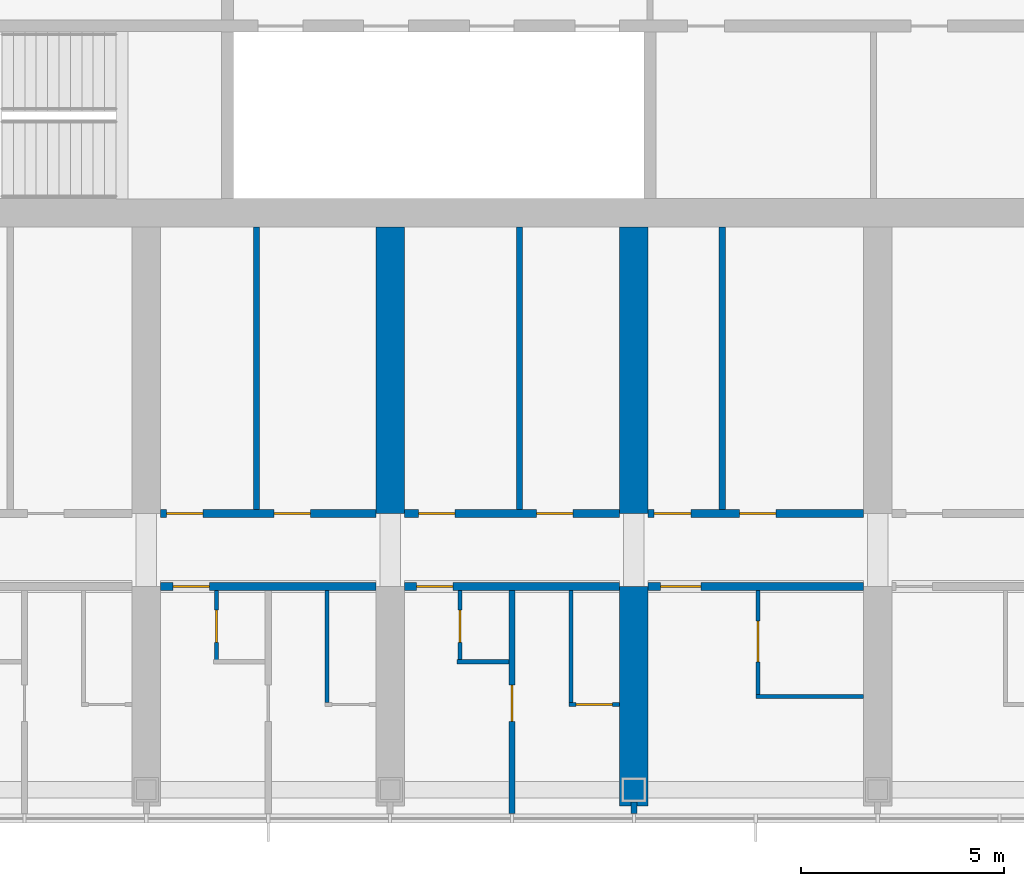
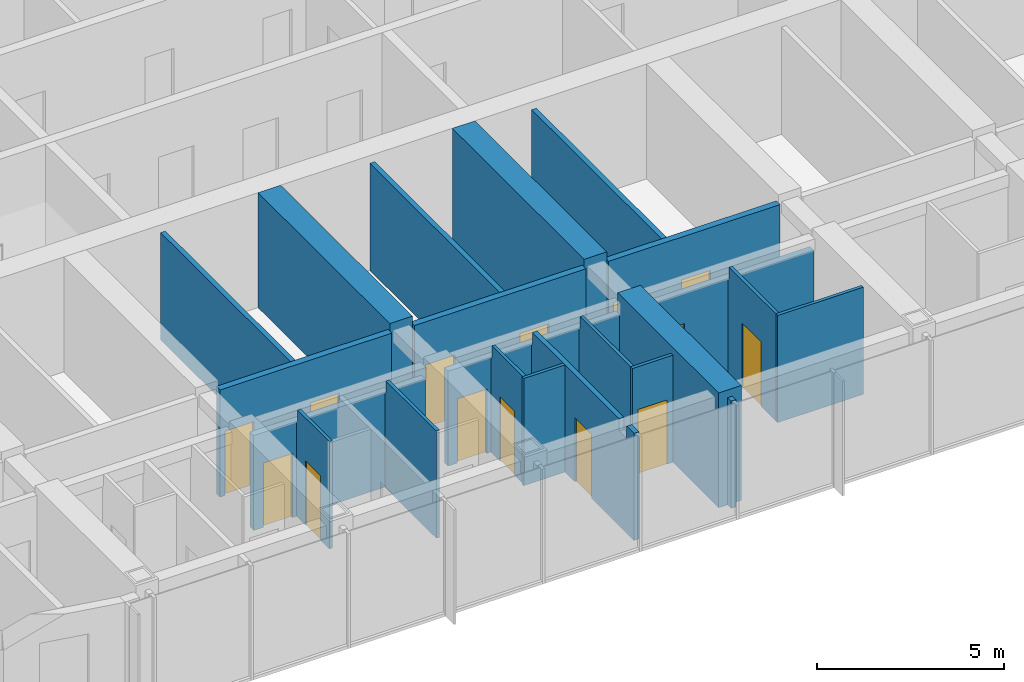
# One storey, part 11 of 24: 22 walls, 14 doors, 14 openings.
"""IFC4 building model written with IfcOpenShell, lengths in metres."""

from ifc_helpers import new_model, si_unit, direction, frame, frame_2d, origin, place, context, subcontext, project, spatial, polyline, rectangle, outline, extrude, material, layer, layer_set, type_object, element, fill, save


model = new_model("IFC4")

# Units and contexts
model_context = context("Model", 3, precision=1e-05, world=origin(), true_north=direction((0.0, 1.0)))
body_context = subcontext(model_context, "Body", "Model", "MODEL_VIEW")
ifc_project = project(units=[si_unit("LENGTHUNIT", "METRE"), si_unit("AREAUNIT", "SQUARE_METRE"), si_unit("VOLUMEUNIT", "CUBIC_METRE"), si_unit("PLANEANGLEUNIT", "RADIAN"), si_unit("MASSUNIT", "GRAM", prefix="KILO")], contexts=[model_context])

# Site, building, storey
site_placement = place(None, origin())
site = spatial("IfcSite", under=ifc_project, at=site_placement, CompositionType="ELEMENT")
building_placement = place(site_placement, origin())
building = spatial("IfcBuilding", under=site, at=building_placement, Name="Orbita Commons", CompositionType="ELEMENT")
storey_placement = place(building_placement, frame((0.0, 0.0, 239.050048828125)))
storey = spatial("IfcBuildingStorey", under=building, at=storey_placement, Name="L59", CompositionType="ELEMENT", Elevation=239.050048828125)

# Wall, opening, door
ifc_material_1 = material(Name="Concrete blockwork", Category="masonry")
ifc_layer_1 = layer(ifc_material_1, 0.199951171875)
ifc_layer_set_1 = layer_set([ifc_layer_1], Name="Concrete blockwork")
wall_type_1 = type_object("IfcWallType", Name="Corridor wall 200 blockwork", PredefinedType="SOLIDWALL", material=ifc_layer_set_1)
wall_1_placement = place(storey_placement, frame((24.35009765625, 16.60009765625, 0.0), z_axis=(0.0, 0.0, 1.0), x_axis=(1.0, 0.0, 0.0)))
wall_1 = element("IfcWall", 1, at=wall_1_placement, inside=storey, type_object=wall_type_1, Name="Corridor wall 200 blockwork L59", PredefinedType="SOLIDWALL", context=body_context, shape_type="SweptSolid", body=[
    extrude(outline(polyline([(0.0, 0.0), (5.2998046875, 0.0), (5.300048828125, 3.099853515625), (0.0, 3.099853515625), (0.0, 0.0)])), frame((0.0, 0.10009765625, 0.0), z_axis=(0.0, -1.0, 0.0), x_axis=(1.0, 0.0, 0.0)), (0.0, 0.0, 1.0), 0.199951171875),
])
opening_1_placement = place(wall_1_placement, frame((0.300048828125, 0.0, 0.0)))
opening_1 = element("IfcOpeningElement", 2, at=opening_1_placement, cuts=wall_1, Name="Opening D11", PredefinedType="OPENING", context=body_context, shape_type="SweptSolid", body=[
    extrude(rectangle(XDim=0.89990234375, YDim=2.10009765625, at=frame_2d((0.449951171875, 1.050048828125))), frame((0.0, 0.10986328125, 0.0), z_axis=(0.0, -1.0, 0.0), x_axis=(1.0, 0.0, 0.0)), (0.0, 0.0, 1.0), 0.219970703125),
])
ifc_material_2 = material(Name="Steel-faced fire door leaf", Category="steel")
door_type_1 = type_object("IfcDoorType", Name="Corridor door 20 min 900x2100", OperationType="SINGLE_SWING_LEFT", PredefinedType="DOOR", material=ifc_material_2)
door_1_placement = place(opening_1_placement, origin())
door_1 = element("IfcDoor", 3, at=door_1_placement, inside=storey, type_object=door_type_1, Name="Guest suite sitting room and kitchenette L59-S02 entrance door", OperationType="SINGLE_SWING_LEFT", OverallHeight=2.10009765625, OverallWidth=0.89990234375, PredefinedType="DOOR", context=body_context, shape_type="SweptSolid", body=[
    extrude(rectangle(XDim=0.89990234375, YDim=2.10009765625, at=frame_2d((0.449951171875, 1.050048828125))), frame((0.0, 0.02490234375, 0.0), z_axis=(0.0, -1.0, 0.0), x_axis=(1.0, 0.0, 0.0)), (0.0, 0.0, 1.0), 0.050048828125),
])
fill(opening_1, door_1)

wall_2_placement = place(storey_placement, frame((30.35009765625, 16.60009765625, 0.0), z_axis=(0.0, 0.0, 1.0), x_axis=(1.0, 0.0, 0.0)))
wall_2 = element("IfcWall", 4, at=wall_2_placement, inside=storey, type_object=wall_type_1, Name="Corridor wall 200 blockwork L59", PredefinedType="SOLIDWALL", context=body_context, shape_type="SweptSolid", body=[
    extrude(outline(polyline([(0.0, 0.0), (5.2998046875, 0.0), (5.300048828125, 3.099853515625), (0.0, 3.099853515625), (0.0, 0.0)])), frame((0.0, 0.10009765625, 0.0), z_axis=(0.0, -1.0, 0.0), x_axis=(1.0, 0.0, 0.0)), (0.0, 0.0, 1.0), 0.199951171875),
])
opening_2_placement = place(wall_2_placement, frame((0.300048828125, 0.0, 0.0)))
opening_2 = element("IfcOpeningElement", 5, at=opening_2_placement, cuts=wall_2, Name="Opening D11", PredefinedType="OPENING", context=body_context, shape_type="SweptSolid", body=[
    extrude(rectangle(XDim=0.89990234375, YDim=2.10009765625, at=frame_2d((0.449951171875, 1.050048828125))), frame((0.0, 0.10986328125, 0.0), z_axis=(0.0, -1.0, 0.0), x_axis=(1.0, 0.0, 0.0)), (0.0, 0.0, 1.0), 0.219970703125),
])
door_2_placement = place(opening_2_placement, origin())
door_2 = element("IfcDoor", 6, at=door_2_placement, inside=storey, type_object=door_type_1, Name="Guest suite sitting room and kitchenette L59-S04 entrance door", OperationType="SINGLE_SWING_LEFT", OverallHeight=2.10009765625, OverallWidth=0.89990234375, PredefinedType="DOOR", context=body_context, shape_type="SweptSolid", body=[
    extrude(rectangle(XDim=0.89990234375, YDim=2.10009765625, at=frame_2d((0.449951171875, 1.050048828125))), frame((0.0, 0.02490234375, 0.0), z_axis=(0.0, -1.0, 0.0), x_axis=(1.0, 0.0, 0.0)), (0.0, 0.0, 1.0), 0.050048828125),
])
fill(opening_2, door_2)

wall_3_placement = place(storey_placement, frame((36.35009765625, 16.60009765625, 0.0), z_axis=(0.0, 0.0, 1.0), x_axis=(1.0, 0.0, 0.0)))
wall_3 = element("IfcWall", 7, at=wall_3_placement, inside=storey, type_object=wall_type_1, Name="Corridor wall 200 blockwork L59", PredefinedType="SOLIDWALL", context=body_context, shape_type="SweptSolid", body=[
    extrude(outline(polyline([(0.0, 0.0), (5.2998046875, 0.0), (5.300048828125, 3.099853515625), (0.0, 3.099853515625), (0.0, 0.0)])), frame((0.0, 0.10009765625, 0.0), z_axis=(0.0, -1.0, 0.0), x_axis=(1.0, 0.0, 0.0)), (0.0, 0.0, 1.0), 0.199951171875),
])
opening_3_placement = place(wall_3_placement, frame((0.300048828125, 0.0, 0.0)))
opening_3 = element("IfcOpeningElement", 8, at=opening_3_placement, cuts=wall_3, Name="Opening D06", PredefinedType="OPENING", context=body_context, shape_type="SweptSolid", body=[
    extrude(rectangle(XDim=1.0, YDim=2.10009765625, at=frame_2d((0.5, 1.050048828125))), frame((0.0, 0.10986328125, 0.0), z_axis=(0.0, -1.0, 0.0), x_axis=(1.0, 0.0, 0.0)), (0.0, 0.0, 1.0), 0.219970703125),
])
ifc_material_3 = material(Name="Steel-faced fire door leaf", Category="steel")
door_type_2 = type_object("IfcDoorType", Name="Corridor door 20 min 1000x2100", OperationType="SINGLE_SWING_LEFT", PredefinedType="DOOR", material=ifc_material_3)
door_3_placement = place(opening_3_placement, origin())
door_3 = element("IfcDoor", 9, at=door_3_placement, inside=storey, type_object=door_type_2, Name="Accessible bedroom L59-S06 door", OperationType="SINGLE_SWING_LEFT", OverallHeight=2.10009765625, OverallWidth=1.0, PredefinedType="DOOR", context=body_context, shape_type="SweptSolid", body=[
    extrude(rectangle(XDim=1.0, YDim=2.10009765625, at=frame_2d((0.5, 1.050048828125))), frame((0.0, 0.02490234375, 0.0), z_axis=(0.0, -1.0, 0.0), x_axis=(1.0, 0.0, 0.0)), (0.0, 0.0, 1.0), 0.050048828125),
])
fill(opening_3, door_3)

# Wall, openings, doors
ifc_material_4 = material(Name="Hollow concrete block 200", Category="concrete")
ifc_layer_2 = layer(ifc_material_4, 0.199951171875)
ifc_layer_set_2 = layer_set([ifc_layer_2], Name="Hollow concrete block 200")
wall_type_2 = type_object("IfcWallType", Name="Corridor wall 200 hollow concrete block", PredefinedType="SOLIDWALL", material=ifc_layer_set_2)
wall_4_placement = place(storey_placement, frame((24.35009765625, 18.39990234375, 0.0), z_axis=(0.0, 0.0, 1.0), x_axis=(1.0, 0.0, 0.0)))
wall_4 = element("IfcWall", 10, at=wall_4_placement, inside=storey, type_object=wall_type_2, Name="Corridor wall 200 hollow concrete block L59", PredefinedType="SOLIDWALL", context=body_context, shape_type="SweptSolid", body=[
    extrude(rectangle(XDim=5.2998046875, YDim=0.199951171875, at=frame_2d((2.64990234375, 0.0))), origin(), (0.0, 0.0, 1.0), 3.5),
])
opening_4_placement = place(wall_4_placement, frame((0.14990234375, 0.0, 0.0)))
opening_4 = element("IfcOpeningElement", 11, at=opening_4_placement, cuts=wall_4, Name="Opening D11", PredefinedType="OPENING", context=body_context, shape_type="SweptSolid", body=[
    extrude(rectangle(XDim=0.89990234375, YDim=2.10009765625, at=frame_2d((0.449951171875, 1.050048828125))), frame((0.0, 0.10986328125, 0.0), z_axis=(0.0, -1.0, 0.0), x_axis=(1.0, 0.0, 0.0)), (0.0, 0.0, 1.0), 0.219970703125),
])
opening_5_placement = place(wall_4_placement, frame((2.7900390625, 0.0, 0.0)))
opening_5 = element("IfcOpeningElement", 12, at=opening_5_placement, cuts=wall_4, Name="Opening D11", PredefinedType="OPENING", context=body_context, shape_type="SweptSolid", body=[
    extrude(rectangle(XDim=0.89990234375, YDim=2.10009765625, at=frame_2d((0.449951171875, 1.050048828125))), frame((0.0, 0.10986328125, 0.0), z_axis=(0.0, -1.0, 0.0), x_axis=(1.0, 0.0, 0.0)), (0.0, 0.0, 1.0), 0.219970703125),
])
door_4_placement = place(opening_4_placement, origin())
door_4 = element("IfcDoor", 13, at=door_4_placement, inside=storey, type_object=door_type_1, Name="Water heater cupboard L59-BDS24n door", OperationType="SINGLE_SWING_LEFT", OverallHeight=2.10009765625, OverallWidth=0.89990234375, PredefinedType="DOOR", context=body_context, shape_type="SweptSolid", body=[
    extrude(rectangle(XDim=0.89990234375, YDim=2.10009765625, at=frame_2d((0.449951171875, 1.050048828125))), frame((0.0, 0.02490234375, 0.0), z_axis=(0.0, -1.0, 0.0), x_axis=(1.0, 0.0, 0.0)), (0.0, 0.0, 1.0), 0.050048828125),
])
fill(opening_4, door_4)
door_5_placement = place(opening_5_placement, origin())
door_5 = element("IfcDoor", 14, at=door_5_placement, inside=storey, type_object=door_type_1, Name="Meeting room L59-BDS24 door", OperationType="SINGLE_SWING_LEFT", OverallHeight=2.10009765625, OverallWidth=0.89990234375, PredefinedType="DOOR", context=body_context, shape_type="SweptSolid", body=[
    extrude(rectangle(XDim=0.89990234375, YDim=2.10009765625, at=frame_2d((0.449951171875, 1.050048828125))), frame((0.0, 0.02490234375, 0.0), z_axis=(0.0, -1.0, 0.0), x_axis=(1.0, 0.0, 0.0)), (0.0, 0.0, 1.0), 0.050048828125),
])
fill(opening_5, door_5)

wall_5_placement = place(storey_placement, frame((30.35009765625, 18.39990234375, 0.0), z_axis=(0.0, 0.0, 1.0), x_axis=(1.0, 0.0, 0.0)))
wall_5 = element("IfcWall", 15, at=wall_5_placement, inside=storey, type_object=wall_type_2, Name="Corridor wall 200 hollow concrete block L59", PredefinedType="SOLIDWALL", context=body_context, shape_type="SweptSolid", body=[
    extrude(rectangle(XDim=5.2998046875, YDim=0.199951171875, at=frame_2d((2.64990234375, 0.0))), origin(), (0.0, 0.0, 1.0), 3.5),
])
opening_6_placement = place(wall_5_placement, frame((0.35009765625, 0.0, 0.0)))
opening_6 = element("IfcOpeningElement", 16, at=opening_6_placement, cuts=wall_5, Name="Opening D11", PredefinedType="OPENING", context=body_context, shape_type="SweptSolid", body=[
    extrude(rectangle(XDim=0.89990234375, YDim=2.10009765625, at=frame_2d((0.449951171875, 1.050048828125))), frame((0.0, 0.10986328125, 0.0), z_axis=(0.0, -1.0, 0.0), x_axis=(1.0, 0.0, 0.0)), (0.0, 0.0, 1.0), 0.219970703125),
])
opening_7_placement = place(wall_5_placement, frame((3.2548828125, 0.0, 0.0)))
opening_7 = element("IfcOpeningElement", 17, at=opening_7_placement, cuts=wall_5, Name="Opening D11", PredefinedType="OPENING", context=body_context, shape_type="SweptSolid", body=[
    extrude(rectangle(XDim=0.89990234375, YDim=2.10009765625, at=frame_2d((0.449951171875, 1.050048828125))), frame((0.0, 0.10986328125, 0.0), z_axis=(0.0, -1.0, 0.0), x_axis=(1.0, 0.0, 0.0)), (0.0, 0.0, 1.0), 0.219970703125),
])
door_6_placement = place(opening_6_placement, origin())
door_6 = element("IfcDoor", 18, at=door_6_placement, inside=storey, type_object=door_type_1, Name="Equipment store L59-BDS30n door", OperationType="SINGLE_SWING_LEFT", OverallHeight=2.10009765625, OverallWidth=0.89990234375, PredefinedType="DOOR", context=body_context, shape_type="SweptSolid", body=[
    extrude(rectangle(XDim=0.89990234375, YDim=2.10009765625, at=frame_2d((0.449951171875, 1.050048828125))), frame((0.0, 0.02490234375, 0.0), z_axis=(0.0, -1.0, 0.0), x_axis=(1.0, 0.0, 0.0)), (0.0, 0.0, 1.0), 0.050048828125),
])
fill(opening_6, door_6)
door_7_placement = place(opening_7_placement, origin())
door_7 = element("IfcDoor", 19, at=door_7_placement, inside=storey, type_object=door_type_1, Name="Board room L59-BDS30 door", OperationType="SINGLE_SWING_LEFT", OverallHeight=2.10009765625, OverallWidth=0.89990234375, PredefinedType="DOOR", context=body_context, shape_type="SweptSolid", body=[
    extrude(rectangle(XDim=0.89990234375, YDim=2.10009765625, at=frame_2d((0.449951171875, 1.050048828125))), frame((0.0, 0.02490234375, 0.0), z_axis=(0.0, -1.0, 0.0), x_axis=(1.0, 0.0, 0.0)), (0.0, 0.0, 1.0), 0.050048828125),
])
fill(opening_7, door_7)

wall_6_placement = place(storey_placement, frame((36.35009765625, 18.39990234375, 0.0), z_axis=(0.0, 0.0, 1.0), x_axis=(1.0, 0.0, 0.0)))
wall_6 = element("IfcWall", 20, at=wall_6_placement, inside=storey, type_object=wall_type_2, Name="Corridor wall 200 hollow concrete block L59", PredefinedType="SOLIDWALL", context=body_context, shape_type="SweptSolid", body=[
    extrude(rectangle(XDim=5.2998046875, YDim=0.199951171875, at=frame_2d((2.64990234375, 0.0))), origin(), (0.0, 0.0, 1.0), 3.5),
])
opening_8_placement = place(wall_6_placement, frame((0.14990234375, 0.0, 0.0)))
opening_8 = element("IfcOpeningElement", 21, at=opening_8_placement, cuts=wall_6, Name="Opening D11", PredefinedType="OPENING", context=body_context, shape_type="SweptSolid", body=[
    extrude(rectangle(XDim=0.89990234375, YDim=2.10009765625, at=frame_2d((0.449951171875, 1.050048828125))), frame((0.0, 0.10986328125, 0.0), z_axis=(0.0, -1.0, 0.0), x_axis=(1.0, 0.0, 0.0)), (0.0, 0.0, 1.0), 0.219970703125),
])
opening_9_placement = place(wall_6_placement, frame((2.25, 0.0, 0.0)))
opening_9 = element("IfcOpeningElement", 22, at=opening_9_placement, cuts=wall_6, Name="Opening D11", PredefinedType="OPENING", context=body_context, shape_type="SweptSolid", body=[
    extrude(rectangle(XDim=0.89990234375, YDim=2.10009765625, at=frame_2d((0.449951171875, 1.050048828125))), frame((0.0, 0.10986328125, 0.0), z_axis=(0.0, -1.0, 0.0), x_axis=(1.0, 0.0, 0.0)), (0.0, 0.0, 1.0), 0.219970703125),
])
door_8_placement = place(opening_8_placement, origin())
door_8 = element("IfcDoor", 23, at=door_8_placement, inside=storey, type_object=door_type_1, Name="Luggage store L59-BDS36n door", OperationType="SINGLE_SWING_LEFT", OverallHeight=2.10009765625, OverallWidth=0.89990234375, PredefinedType="DOOR", context=body_context, shape_type="SweptSolid", body=[
    extrude(rectangle(XDim=0.89990234375, YDim=2.10009765625, at=frame_2d((0.449951171875, 1.050048828125))), frame((0.0, 0.02490234375, 0.0), z_axis=(0.0, -1.0, 0.0), x_axis=(1.0, 0.0, 0.0)), (0.0, 0.0, 1.0), 0.050048828125),
])
fill(opening_8, door_8)
door_9_placement = place(opening_9_placement, origin())
door_9 = element("IfcDoor", 24, at=door_9_placement, inside=storey, type_object=door_type_1, Name="Parcel and post room L59-BDS36 door", OperationType="SINGLE_SWING_LEFT", OverallHeight=2.10009765625, OverallWidth=0.89990234375, PredefinedType="DOOR", context=body_context, shape_type="SweptSolid", body=[
    extrude(rectangle(XDim=0.89990234375, YDim=2.10009765625, at=frame_2d((0.449951171875, 1.050048828125))), frame((0.0, 0.02490234375, 0.0), z_axis=(0.0, -1.0, 0.0), x_axis=(1.0, 0.0, 0.0)), (0.0, 0.0, 1.0), 0.050048828125),
])
fill(opening_9, door_9)

# Walls
ifc_material_5 = material(Name="Concrete C50/60", Category="concrete")
ifc_layer_3 = layer(ifc_material_5, 0.699951171875)
ifc_layer_set_3 = layer_set([ifc_layer_3], Name="Concrete C50/60")
wall_type_3 = type_object("IfcWallType", Name="Cross wall 700 C50/60", PredefinedType="SHEAR", material=ifc_layer_set_3)
wall_7_placement = place(storey_placement, frame((30.0, 18.39990234375, 0.0), z_axis=(0.0, 0.0, 1.0), x_axis=(0.0, 1.0, 0.0)))
element("IfcWall", 25, at=wall_7_placement, inside=storey, type_object=wall_type_3, Name="Cross wall 6 south inner L59", PredefinedType="SHEAR", context=body_context, shape_type="SweptSolid", body=[
    extrude(rectangle(XDim=7.050048828125, YDim=0.699951171875, at=frame_2d((3.52490234375, 0.0))), origin(), (0.0, 0.0, 1.0), 3.75),
])
wall_8_placement = place(storey_placement, frame((36.0, 11.199951171875, 0.0), z_axis=(0.0, 0.0, 1.0), x_axis=(0.0, 1.0, 0.0)))
element("IfcWall", 26, at=wall_8_placement, inside=storey, type_object=wall_type_3, Name="Cross wall 7 south outer L59", PredefinedType="SHEAR", context=body_context, shape_type="SweptSolid", body=[
    extrude(rectangle(XDim=5.400146484375, YDim=0.699951171875, at=frame_2d((2.7001953125, 0.0))), origin(), (0.0, 0.0, 1.0), 3.75),
])
wall_9_placement = place(storey_placement, frame((36.0, 18.39990234375, 0.0), z_axis=(0.0, 0.0, 1.0), x_axis=(0.0, 1.0, 0.0)))
element("IfcWall", 27, at=wall_9_placement, inside=storey, type_object=wall_type_3, Name="Cross wall 7 south inner L59", PredefinedType="SHEAR", context=body_context, shape_type="SweptSolid", body=[
    extrude(rectangle(XDim=7.050048828125, YDim=0.699951171875, at=frame_2d((3.52490234375, 0.0))), origin(), (0.0, 0.0, 1.0), 3.75),
])
ifc_material_6 = material(Name="Moisture-resistant plasterboard on steel studs", Category="steel")
ifc_layer_4 = layer(ifc_material_6, 0.10009765625)
ifc_layer_set_4 = layer_set([ifc_layer_4], Name="Moisture-resistant plasterboard on steel studs")
wall_type_4 = type_object("IfcWallType", Name="En-suite partition 100", PredefinedType="PARTITIONING", material=ifc_layer_set_4)
wall_10_placement = place(storey_placement, frame((28.449951171875, 13.75, 0.0), z_axis=(0.0, 0.0, 1.0), x_axis=(0.0, 1.0, 0.0)))
element("IfcWall", 28, at=wall_10_placement, inside=storey, type_object=wall_type_4, Name="En-suite partition 100 L59", PredefinedType="PARTITIONING", context=body_context, shape_type="SweptSolid", body=[
    extrude(outline(polyline([(0.0, 0.0), (2.75, 0.0), (2.75, 3.099853515625), (2.701904296875, 3.099853515625), (2.699951171875, 3.5), (0.0, 3.5), (0.0, 0.0)])), frame((0.0, 0.050048828125, 0.0), z_axis=(0.0, -1.0, 0.0), x_axis=(1.0, 0.0, 0.0)), (0.0, 0.0, 1.0), 0.10009765625),
])

# Wall, opening, door
wall_11_placement = place(storey_placement, frame((25.72509765625, 14.75, 0.0), z_axis=(0.0, 0.0, 1.0), x_axis=(0.0, 1.0, 0.0)))
wall_11 = element("IfcWall", 29, at=wall_11_placement, inside=storey, type_object=wall_type_4, Name="En-suite partition 100 L59", PredefinedType="PARTITIONING", context=body_context, shape_type="SweptSolid", body=[
    extrude(outline(polyline([(0.0, 0.0), (1.75, 0.0), (1.75, 3.099853515625), (1.701904296875, 3.099853515625), (1.699951171875, 3.5), (0.0, 3.5), (0.0, 0.0)])), frame((0.0, 0.050048828125, 0.0), z_axis=(0.0, -1.0, 0.0), x_axis=(1.0, 0.0, 0.0)), (0.0, 0.0, 1.0), 0.10009765625),
])
opening_10_placement = place(wall_11_placement, frame((0.47509765625, 0.0, 0.0)))
opening_10 = element("IfcOpeningElement", 30, at=opening_10_placement, cuts=wall_11, Name="Opening D16", PredefinedType="OPENING", context=body_context, shape_type="SweptSolid", body=[
    extrude(rectangle(XDim=0.800048828125, YDim=2.10009765625, at=frame_2d((0.39990234375, 1.050048828125))), frame((0.0, 0.06005859375, 0.0), z_axis=(0.0, -1.0, 0.0), x_axis=(1.0, 0.0, 0.0)), (0.0, 0.0, 1.0), 0.1201171875),
])
ifc_material_7 = material(Name="Laminated timber door leaf", Category="wood")
door_type_3 = type_object("IfcDoorType", Name="En-suite door 800x2100", OperationType="SINGLE_SWING_RIGHT", PredefinedType="DOOR", material=ifc_material_7)
door_10_placement = place(opening_10_placement, origin())
door_10 = element("IfcDoor", 31, at=door_10_placement, inside=storey, type_object=door_type_3, Name="Guest suite WC L59-S02 door", OperationType="SINGLE_SWING_RIGHT", OverallHeight=2.10009765625, OverallWidth=0.800048828125, PredefinedType="DOOR", context=body_context, shape_type="SweptSolid", body=[
    extrude(rectangle(XDim=0.800048828125, YDim=2.10009765625, at=frame_2d((0.39990234375, 1.050048828125))), frame((0.0, 0.02490234375, 0.0), z_axis=(0.0, -1.0, 0.0), x_axis=(1.0, 0.0, 0.0)), (0.0, 0.0, 1.0), 0.050048828125),
])
fill(opening_10, door_10)

wall_12_placement = place(storey_placement, frame((35.64990234375, 13.699951171875, 0.0), z_axis=(0.0, 0.0, 1.0), x_axis=(-1.0, 0.0, 0.0)))
wall_12 = element("IfcWall", 32, at=wall_12_placement, inside=storey, type_object=wall_type_4, Name="En-suite partition 100 L59", PredefinedType="PARTITIONING", context=body_context, shape_type="SweptSolid", body=[
    extrude(rectangle(XDim=1.25, YDim=0.10009765625, at=frame_2d((0.625, 0.0))), origin(), (0.0, 0.0, 1.0), 3.5),
])
opening_11_placement = place(wall_12_placement, frame((0.175048828125, 0.0, 0.0)))
opening_11 = element("IfcOpeningElement", 33, at=opening_11_placement, cuts=wall_12, Name="Opening D09", PredefinedType="OPENING", context=body_context, shape_type="SweptSolid", body=[
    extrude(rectangle(XDim=0.89990234375, YDim=2.10009765625, at=frame_2d((0.449951171875, 1.050048828125))), frame((0.0, 0.06005859375, 0.0), z_axis=(0.0, -1.0, 0.0), x_axis=(1.0, 0.0, 0.0)), (0.0, 0.0, 1.0), 0.1201171875),
])
ifc_material_8 = material(Name="Laminated timber door leaf", Category="wood")
door_type_4 = type_object("IfcDoorType", Name="En-suite door 900x2100", OperationType="SINGLE_SWING_RIGHT", PredefinedType="DOOR", material=ifc_material_8)
door_11_placement = place(opening_11_placement, origin())
door_11 = element("IfcDoor", 34, at=door_11_placement, inside=storey, type_object=door_type_4, Name="En-suite L59-S05 door", OperationType="SINGLE_SWING_RIGHT", OverallHeight=2.10009765625, OverallWidth=0.89990234375, PredefinedType="DOOR", context=body_context, shape_type="SweptSolid", body=[
    extrude(rectangle(XDim=0.89990234375, YDim=2.10009765625, at=frame_2d((0.449951171875, 1.050048828125))), frame((0.0, 0.02490234375, 0.0), z_axis=(0.0, -1.0, 0.0), x_axis=(1.0, 0.0, 0.0)), (0.0, 0.0, 1.0), 0.050048828125),
])
fill(opening_11, door_11)

# Walls
wall_13_placement = place(storey_placement, frame((34.449951171875, 13.75, 0.0), z_axis=(0.0, 0.0, 1.0), x_axis=(0.0, 1.0, 0.0)))
element("IfcWall", 35, at=wall_13_placement, inside=storey, type_object=wall_type_4, Name="En-suite partition 100 L59", PredefinedType="PARTITIONING", context=body_context, shape_type="SweptSolid", body=[
    extrude(outline(polyline([(0.0, 0.0), (2.75, 0.0), (2.75, 3.099853515625), (2.701904296875, 3.099853515625), (2.699951171875, 3.5), (0.0, 3.5), (0.0, 0.0)])), frame((0.0, 0.050048828125, 0.0), z_axis=(0.0, -1.0, 0.0), x_axis=(1.0, 0.0, 0.0)), (0.0, 0.0, 1.0), 0.10009765625),
])
wall_14_placement = place(storey_placement, frame((31.64990234375, 14.75, 0.0), z_axis=(0.0, 0.0, 1.0), x_axis=(1.0, 0.0, 0.0)))
element("IfcWall", 36, at=wall_14_placement, inside=storey, type_object=wall_type_4, Name="En-suite partition 100 L59", PredefinedType="PARTITIONING", context=body_context, shape_type="SweptSolid", body=[
    extrude(rectangle(XDim=1.275146484375, YDim=0.10009765625, at=frame_2d((0.6376953125, 0.0))), origin(), (0.0, 0.0, 1.0), 3.5),
])

# Wall, opening, door
wall_15_placement = place(storey_placement, frame((31.72509765625, 14.75, 0.0), z_axis=(0.0, 0.0, 1.0), x_axis=(0.0, 1.0, 0.0)))
wall_15 = element("IfcWall", 37, at=wall_15_placement, inside=storey, type_object=wall_type_4, Name="En-suite partition 100 L59", PredefinedType="PARTITIONING", context=body_context, shape_type="SweptSolid", body=[
    extrude(outline(polyline([(0.0, 0.0), (1.75, 0.0), (1.75, 3.099853515625), (1.701904296875, 3.099853515625), (1.699951171875, 3.5), (0.0, 3.5), (0.0, 0.0)])), frame((0.0, 0.050048828125, 0.0), z_axis=(0.0, -1.0, 0.0), x_axis=(1.0, 0.0, 0.0)), (0.0, 0.0, 1.0), 0.10009765625),
])
opening_12_placement = place(wall_15_placement, frame((0.47509765625, 0.0, 0.0)))
opening_12 = element("IfcOpeningElement", 38, at=opening_12_placement, cuts=wall_15, Name="Opening D16", PredefinedType="OPENING", context=body_context, shape_type="SweptSolid", body=[
    extrude(rectangle(XDim=0.800048828125, YDim=2.10009765625, at=frame_2d((0.39990234375, 1.050048828125))), frame((0.0, 0.06005859375, 0.0), z_axis=(0.0, -1.0, 0.0), x_axis=(1.0, 0.0, 0.0)), (0.0, 0.0, 1.0), 0.1201171875),
])
door_12_placement = place(opening_12_placement, origin())
door_12 = element("IfcDoor", 39, at=door_12_placement, inside=storey, type_object=door_type_3, Name="Guest suite WC L59-S04 door", OperationType="SINGLE_SWING_RIGHT", OverallHeight=2.10009765625, OverallWidth=0.800048828125, PredefinedType="DOOR", context=body_context, shape_type="SweptSolid", body=[
    extrude(rectangle(XDim=0.800048828125, YDim=2.10009765625, at=frame_2d((0.39990234375, 1.050048828125))), frame((0.0, 0.02490234375, 0.0), z_axis=(0.0, -1.0, 0.0), x_axis=(1.0, 0.0, 0.0)), (0.0, 0.0, 1.0), 0.050048828125),
])
fill(opening_12, door_12)

# Wall
wall_16_placement = place(storey_placement, frame((39.0, 13.89990234375, 0.0), z_axis=(0.0, 0.0, 1.0), x_axis=(1.0, 0.0, 0.0)))
element("IfcWall", 40, at=wall_16_placement, inside=storey, type_object=wall_type_4, Name="En-suite partition 100 L59", PredefinedType="PARTITIONING", context=body_context, shape_type="SweptSolid", body=[
    extrude(rectangle(XDim=2.64990234375, YDim=0.10009765625, at=frame_2d((1.324951171875, 0.0))), origin(), (0.0, 0.0, 1.0), 3.5),
])

# Wall, opening, door
wall_17_placement = place(storey_placement, frame((39.050048828125, 13.949951171875, 0.0), z_axis=(0.0, 0.0, 1.0), x_axis=(0.0, 1.0, 0.0)))
wall_17 = element("IfcWall", 41, at=wall_17_placement, inside=storey, type_object=wall_type_4, Name="En-suite partition 100 L59", PredefinedType="PARTITIONING", context=body_context, shape_type="SweptSolid", body=[
    extrude(outline(polyline([(0.0, 0.0), (2.550048828125, 0.0), (2.550048828125, 3.099853515625), (2.501953125, 3.099853515625), (2.5, 3.5), (0.0, 3.5), (0.0, 0.0)])), frame((0.0, 0.050048828125, 0.0), z_axis=(0.0, -1.0, 0.0), x_axis=(1.0, 0.0, 0.0)), (0.0, 0.0, 1.0), 0.10009765625),
])
opening_13_placement = place(wall_17_placement, frame((0.800048828125, 0.0, 0.0)))
opening_13 = element("IfcOpeningElement", 42, at=opening_13_placement, cuts=wall_17, Name="Opening D13", PredefinedType="OPENING", context=body_context, shape_type="SweptSolid", body=[
    extrude(rectangle(XDim=1.0, YDim=2.10009765625, at=frame_2d((0.5, 1.050048828125))), frame((0.0, 0.06005859375, 0.0), z_axis=(0.0, -1.0, 0.0), x_axis=(1.0, 0.0, 0.0)), (0.0, 0.0, 1.0), 0.1201171875),
])
ifc_material_9 = material(Name="Laminated timber door leaf", Category="wood")
door_type_5 = type_object("IfcDoorType", Name="En-suite door 1000x2100", OperationType="SINGLE_SWING_RIGHT", PredefinedType="DOOR", material=ifc_material_9)
door_13_placement = place(opening_13_placement, origin())
door_13 = element("IfcDoor", 43, at=door_13_placement, inside=storey, type_object=door_type_5, Name="Accessible shower room L59-S06 door", OperationType="SINGLE_SWING_RIGHT", OverallHeight=2.10009765625, OverallWidth=1.0, PredefinedType="DOOR", context=body_context, shape_type="SweptSolid", body=[
    extrude(rectangle(XDim=1.0, YDim=2.10009765625, at=frame_2d((0.5, 1.050048828125))), frame((0.0, 0.02490234375, 0.0), z_axis=(0.0, -1.0, 0.0), x_axis=(1.0, 0.0, 0.0)), (0.0, 0.0, 1.0), 0.050048828125),
])
fill(opening_13, door_13)

ifc_material_10 = material(Name="Gypsum plasterboard on steel studs", Category="steel")
ifc_layer_5 = layer(ifc_material_10, 0.14990234375)
ifc_layer_set_5 = layer_set([ifc_layer_5], Name="Gypsum plasterboard on steel studs")
wall_type_5 = type_object("IfcWallType", Name="Partition 150 plasterboard", PredefinedType="PARTITIONING", material=ifc_layer_set_5)
wall_18_placement = place(storey_placement, frame((33.0, 11.010009765625, 0.0), z_axis=(0.0, 0.0, 1.0), x_axis=(0.0, 1.0, 0.0)))
wall_18 = element("IfcWall", 44, at=wall_18_placement, inside=storey, type_object=wall_type_5, Name="Partition 150 plasterboard L59", PredefinedType="PARTITIONING", context=body_context, shape_type="SweptSolid", body=[
    extrude(outline(polyline([(0.0, 0.0), (5.489990234375, 0.0), (5.489990234375, 3.099853515625), (5.44189453125, 3.099853515625), (5.43994140625, 3.5), (0.7919921875, 3.5), (0.7900390625, 3.099853515625), (0.39208984375, 3.099853515625), (0.389892578125, 3.5), (0.0, 3.5), (0.0, 0.0)])), frame((0.0, 0.074951171875, 0.0), z_axis=(0.0, -1.0, 0.0), x_axis=(1.0, 0.0, 0.0)), (0.0, 0.0, 1.0), 0.14990234375),
])
opening_14_placement = place(wall_18_placement, frame((2.27001953125, 0.0, 0.0)))
opening_14 = element("IfcOpeningElement", 45, at=opening_14_placement, cuts=wall_18, Name="Opening D09", PredefinedType="OPENING", context=body_context, shape_type="SweptSolid", body=[
    extrude(rectangle(XDim=0.89990234375, YDim=2.10009765625, at=frame_2d((0.449951171875, 1.050048828125))), frame((0.0, 0.0849609375, 0.0), z_axis=(0.0, -1.0, 0.0), x_axis=(1.0, 0.0, 0.0)), (0.0, 0.0, 1.0), 0.169921875),
])
door_14_placement = place(opening_14_placement, origin())
door_14 = element("IfcDoor", 46, at=door_14_placement, inside=storey, type_object=door_type_4, Name="Guest suite bedroom L59-S04 door", OperationType="SINGLE_SWING_RIGHT", OverallHeight=2.10009765625, OverallWidth=0.89990234375, PredefinedType="DOOR", context=body_context, shape_type="SweptSolid", body=[
    extrude(rectangle(XDim=0.89990234375, YDim=2.10009765625, at=frame_2d((0.449951171875, 1.050048828125))), frame((0.0, 0.02490234375, 0.0), z_axis=(0.0, -1.0, 0.0), x_axis=(1.0, 0.0, 0.0)), (0.0, 0.0, 1.0), 0.050048828125),
])
fill(opening_14, door_14)

# Walls
for number, where, z_axis, x_axis, name in (
    (47, (26.715087890625, 18.5, 0.0), (0.0, 0.0, 1.0), (0.0, 1.0, 0.0), "Partition 150 plasterboard L59"),
    (48, (33.179931640625, 18.5, 0.0), (0.0, 0.0, 1.0), (0.0, 1.0, 0.0), "Partition 150 plasterboard L59"),
    (49, (38.175048828125, 18.5, 0.0), (0.0, 0.0, 1.0), (0.0, 1.0, 0.0), "Partition 150 plasterboard L59"),
):
    element("IfcWall", number, at=place(storey_placement, frame(where, z_axis=z_axis, x_axis=x_axis)), inside=storey, type_object=wall_type_5, Name=name, PredefinedType="PARTITIONING", context=body_context, shape_type="SweptSolid", body=[
        extrude(rectangle(XDim=6.949951171875, YDim=0.14990234375, at=frame_2d((3.47509765625, 0.0))), origin(), (0.0, 0.0, 1.0), 3.5),
    ])
wall_19_placement = place(storey_placement, frame((36.0, 11.300048828125, 0.0), z_axis=(0.0, 0.0, 1.0), x_axis=(0.0, -1.0, 0.0)))
element("IfcWall", 50, at=wall_19_placement, inside=storey, type_object=wall_type_5, Name="Partition 150 plasterboard L59", PredefinedType="PARTITIONING", context=body_context, shape_type="SweptSolid", body=[
    extrude(rectangle(XDim=0.2900390625, YDim=0.14990234375, at=frame_2d((0.14501953125, 0.0))), origin(), (0.0, 0.0, 1.0), 3.5),
])

save(model, "model.ifc")
